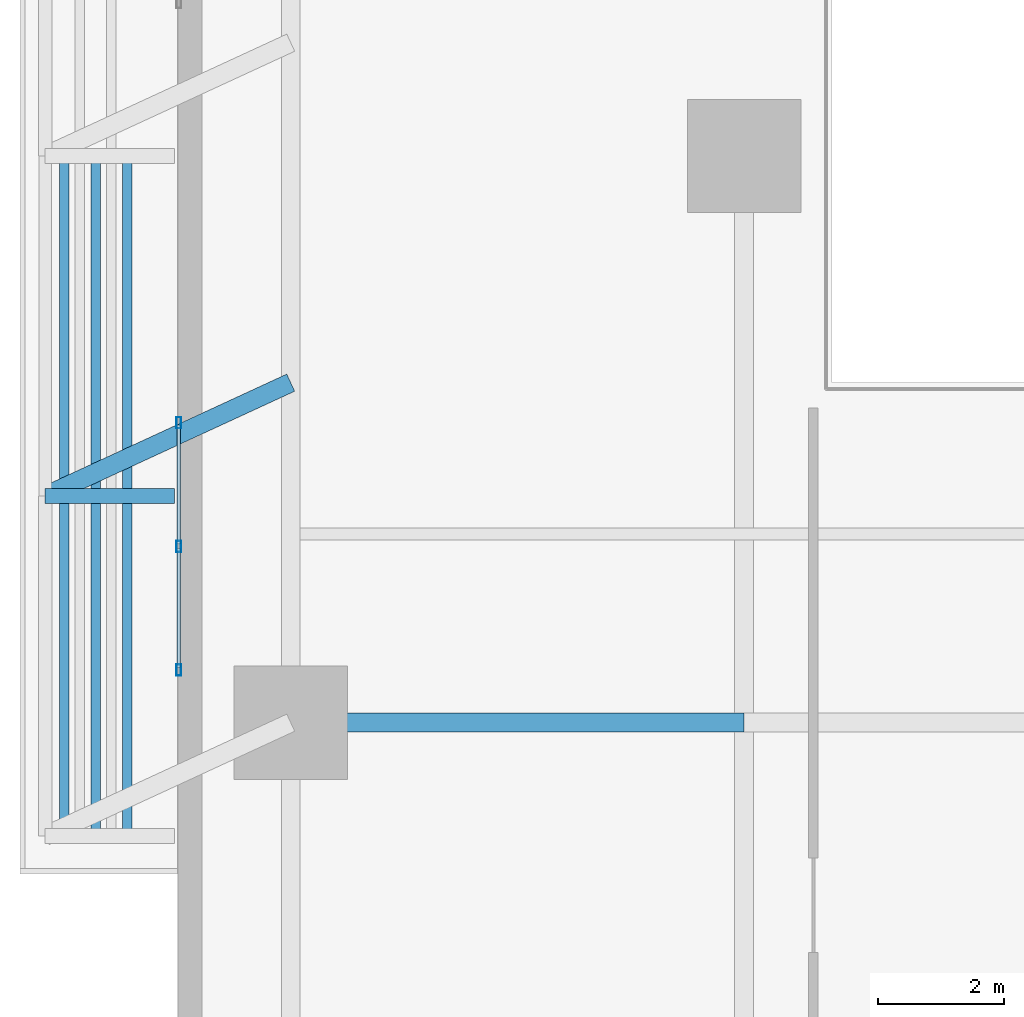
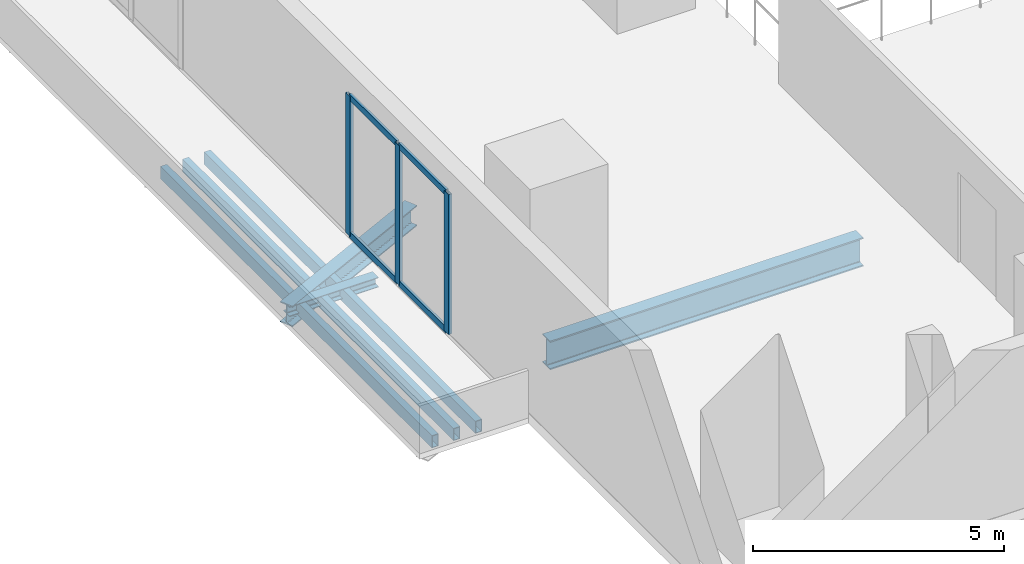
# One storey, part 2 of 13: 10 members, 3 beams, 1 element without a shape of its own.
"""IFC4 building model written with IfcOpenShell, lengths in metres."""

from ifc_helpers import new_model, si_unit, direction, frame, origin, origin_2d, place, context, subcontext, project, spatial, hollow_rectangle, i_section, extrude, material, material_profile, profile_set, type_object, element, aggregate, save


model = new_model("IFC4")

# Units and contexts
model_context = context("Model", 3, precision=1e-05, world=origin(), true_north=direction((0.0, 1.0)))
body_context = subcontext(model_context, "Body", "Model", "MODEL_VIEW")
ifc_project = project(units=[si_unit("LENGTHUNIT", "METRE"), si_unit("AREAUNIT", "SQUARE_METRE"), si_unit("VOLUMEUNIT", "CUBIC_METRE"), si_unit("PLANEANGLEUNIT", "RADIAN"), si_unit("MASSUNIT", "GRAM", prefix="KILO")], contexts=[model_context])

# Site, building, storey
site_placement = place(None, origin())
site = spatial("IfcSite", under=ifc_project, at=site_placement, CompositionType="ELEMENT")
building_placement = place(site_placement, origin())
building = spatial("IfcBuilding", under=site, at=building_placement, Name="Kuzgunbayir Cultural Tower", CompositionType="ELEMENT")
storey_placement = place(building_placement, frame((0.0, 0.0, 4.60009765625)))
storey = spatial("IfcBuildingStorey", under=building, at=storey_placement, Name="L01", CompositionType="ELEMENT", Elevation=4.60009765625)

# Beams
ifc_material_1 = material(Name="Steel S355J2", Category="steel")
ifc_material_profile_1 = material_profile(ifc_material_1, i_section(OverallWidth=0.239990234375, OverallDepth=0.239990234375, WebThickness=0.010009765625, FlangeThickness=0.01708984375, FilletRadius=0.02099609375, at=origin_2d()), Name="HEB 240")
ifc_profile_set_1 = profile_set([ifc_material_profile_1], Name="Steel S355J2")
beam_type_1 = type_object("IfcBeamType", Name="BM-CAN-HEB240", PredefinedType="BEAM", material=ifc_profile_set_1)
beam_1_placement = place(storey_placement, frame((1.5, 16.199951171875, -0.3701171875), z_axis=(1.0, 0.0, 0.0), x_axis=(0.0, 1.0, 0.0)))
element("IfcBeam", 1, at=beam_1_placement, inside=storey, type_object=beam_type_1, Name="L01 Entrance Canopy Cantilever 2", PredefinedType="BEAM", context=body_context, shape_type="SweptSolid", body=[
    extrude(i_section(OverallWidth=0.239990234375, OverallDepth=0.239990234375, WebThickness=0.010009765625, FlangeThickness=0.01708984375, FilletRadius=0.02099609375, at=origin_2d()), origin(), (0.0, 0.0, 1.0), 2.050048828125),
])
ifc_material_profile_2 = material_profile(ifc_material_1, i_section(OverallWidth=0.300048828125, OverallDepth=0.5, WebThickness=0.014404296875, FlangeThickness=0.028076171875, FilletRadius=0.027099609375, at=origin_2d()), Name="HEB 500")
ifc_profile_set_2 = profile_set([ifc_material_profile_2], Name="Steel S355J2")
beam_type_2 = type_object("IfcBeamType", Name="BM-EXT-HEB500", PredefinedType="BEAM", material=ifc_profile_set_2)
beam_2_placement = place(storey_placement, frame((1.5, 16.199951171875, -0.5), z_axis=(0.907951066374, 0.419076199598, 0.0), x_axis=(-0.419076199598, 0.907951066374, 0.0)))
element("IfcBeam", 2, at=beam_2_placement, inside=storey, type_object=beam_type_2, Name="L01 Colonnade Structural Tie Mid-South", PredefinedType="BEAM", context=body_context, shape_type="SweptSolid", body=[
    extrude(i_section(OverallWidth=0.300048828125, OverallDepth=0.5, WebThickness=0.014404296875, FlangeThickness=0.028076171875, FilletRadius=0.027099609375, at=origin_2d()), origin(), (0.0, 0.0, 1.0), 4.295166015625),
])
ifc_material_profile_3 = material_profile(ifc_material_1, i_section(OverallWidth=0.300048828125, OverallDepth=0.699951171875, WebThickness=0.01708984375, FlangeThickness=0.031982421875, FilletRadius=0.027099609375, at=origin_2d()), Name="HEB 700")
ifc_profile_set_3 = profile_set([ifc_material_profile_3], Name="Steel S355J2")
beam_type_3 = type_object("IfcBeamType", Name="BM-GIR-HEB700", PredefinedType="BEAM", material=ifc_profile_set_3)
beam_3_placement = place(storey_placement, frame((5.39990234375, 12.60009765625, -0.60009765625), z_axis=(1.0, 0.0, 0.0), x_axis=(0.0, 1.0, 0.0)))
element("IfcBeam", 3, at=beam_3_placement, inside=storey, type_object=beam_type_3, Name="L01 Podium Primary Girder 1", PredefinedType="BEAM", context=body_context, shape_type="SweptSolid", body=[
    extrude(i_section(OverallWidth=0.300048828125, OverallDepth=0.699951171875, WebThickness=0.01708984375, FlangeThickness=0.031982421875, FilletRadius=0.027099609375, at=origin_2d()), origin(), (0.0, 0.0, 1.0), 7.2001953125),
])

# Curtain wall, members
ifc_material_2 = material(Name="Anodised Aluminium Framing", Category="aluminium")
curtain_wall_type = type_object("IfcCurtainWallType", Name="CW01-POD-FOYER", PredefinedType="NOTDEFINED", material=ifc_material_2)
curtain_wall_placement = place(storey_placement, origin())
curtain_wall = element("IfcCurtainWall", 4, at=curtain_wall_placement, inside=storey, type_object=curtain_wall_type, Name="L01 Civic Foyer Curtain Wall South", PredefinedType="NOTDEFINED")
ifc_material_profile_4 = material_profile(ifc_material_2, hollow_rectangle(XDim=0.074951171875, YDim=0.179931640625, WallThickness=0.0048828125, at=origin_2d()), Name="RHS 180x75x5")
ifc_profile_set_4 = profile_set([ifc_material_profile_4], Name="Anodised Aluminium Framing")
member_type_1 = type_object("IfcMemberType", Name="MEM-CW-MULLION-180", PredefinedType="MULLION", material=ifc_profile_set_4)
member_1_placement = place(storey_placement, frame((3.6201171875, 13.4375, 0.0), z_axis=(0.0, 0.0, 1.0), x_axis=(-1.0, 0.0, 0.0)))
member_1 = element("IfcMember", 5, at=member_1_placement, type_object=member_type_1, Name="CW01 mullion 1", PredefinedType="MULLION", context=body_context, shape_type="SweptSolid", body=[
    extrude(hollow_rectangle(XDim=0.074951171875, YDim=0.179931640625, WallThickness=0.0048828125, at=origin_2d()), origin(), (0.0, 0.0, 1.0), 3.39990234375),
])
member_2_placement = place(storey_placement, frame((3.6201171875, 15.39990234375, 0.0), z_axis=(0.0, 0.0, 1.0), x_axis=(-1.0, 0.0, 0.0)))
member_2 = element("IfcMember", 6, at=member_2_placement, type_object=member_type_1, Name="CW01 mullion 2", PredefinedType="MULLION", context=body_context, shape_type="SweptSolid", body=[
    extrude(hollow_rectangle(XDim=0.074951171875, YDim=0.179931640625, WallThickness=0.0048828125, at=origin_2d()), origin(), (0.0, 0.0, 1.0), 3.39990234375),
])
member_3_placement = place(storey_placement, frame((3.6201171875, 17.362548828125, 0.0), z_axis=(0.0, 0.0, 1.0), x_axis=(-1.0, 0.0, 0.0)))
member_3 = element("IfcMember", 7, at=member_3_placement, type_object=member_type_1, Name="CW01 mullion 3", PredefinedType="MULLION", context=body_context, shape_type="SweptSolid", body=[
    extrude(hollow_rectangle(XDim=0.074951171875, YDim=0.179931640625, WallThickness=0.0048828125, at=origin_2d()), origin(), (0.0, 0.0, 1.0), 3.39990234375),
])
ifc_material_profile_5 = material_profile(ifc_material_2, hollow_rectangle(XDim=0.06005859375, YDim=0.14990234375, WallThickness=0.00390625, at=origin_2d()), Name="RHS 150x60x4")
ifc_profile_set_5 = profile_set([ifc_material_profile_5], Name="Anodised Aluminium Framing")
member_type_2 = type_object("IfcMemberType", Name="MEM-CW-TRANSOM-150", PredefinedType="USERDEFINED", material=ifc_profile_set_5)
member_4_placement = place(storey_placement, frame((3.6201171875, 13.47509765625, 0.02978515625), z_axis=(0.0, 1.0, 0.0), x_axis=(-1.0, 0.0, 0.0)))
member_4 = element("IfcMember", 8, at=member_4_placement, type_object=member_type_2, Name="CW01 transom 1.1", ObjectType="TRANSOM", PredefinedType="USERDEFINED", context=body_context, shape_type="SweptSolid", body=[
    extrude(hollow_rectangle(XDim=0.06005859375, YDim=0.14990234375, WallThickness=0.00390625, at=origin_2d()), origin(), (0.0, 0.0, 1.0), 1.887451171875),
])
member_5_placement = place(storey_placement, frame((3.6201171875, 13.47509765625, 3.369873046875), z_axis=(0.0, 1.0, 0.0), x_axis=(-1.0, 0.0, 0.0)))
member_5 = element("IfcMember", 9, at=member_5_placement, type_object=member_type_2, Name="CW01 transom 1.2", ObjectType="TRANSOM", PredefinedType="USERDEFINED", context=body_context, shape_type="SweptSolid", body=[
    extrude(hollow_rectangle(XDim=0.06005859375, YDim=0.14990234375, WallThickness=0.00390625, at=origin_2d()), origin(), (0.0, 0.0, 1.0), 1.887451171875),
])
member_6_placement = place(storey_placement, frame((3.6201171875, 15.4375, 0.02978515625), z_axis=(0.0, 1.0, 0.0), x_axis=(-1.0, 0.0, 0.0)))
member_6 = element("IfcMember", 10, at=member_6_placement, type_object=member_type_2, Name="CW01 transom 2.1", ObjectType="TRANSOM", PredefinedType="USERDEFINED", context=body_context, shape_type="SweptSolid", body=[
    extrude(hollow_rectangle(XDim=0.06005859375, YDim=0.14990234375, WallThickness=0.00390625, at=origin_2d()), origin(), (0.0, 0.0, 1.0), 1.887451171875),
])
member_7_placement = place(storey_placement, frame((3.6201171875, 15.4375, 3.369873046875), z_axis=(0.0, 1.0, 0.0), x_axis=(-1.0, 0.0, 0.0)))
member_7 = element("IfcMember", 11, at=member_7_placement, type_object=member_type_2, Name="CW01 transom 2.2", ObjectType="TRANSOM", PredefinedType="USERDEFINED", context=body_context, shape_type="SweptSolid", body=[
    extrude(hollow_rectangle(XDim=0.06005859375, YDim=0.14990234375, WallThickness=0.00390625, at=origin_2d()), origin(), (0.0, 0.0, 1.0), 1.887451171875),
])
aggregate(curtain_wall, [member_1, member_2, member_3, member_4, member_5, member_6, member_7])

# Members
ifc_material_profile_6 = material_profile(ifc_material_1, hollow_rectangle(XDim=0.14990234375, YDim=0.300048828125, WallThickness=0.012451171875, at=origin_2d()), Name="RHS 300x150x12.5")
ifc_profile_set_6 = profile_set([ifc_material_profile_6], Name="Steel S355J2")
member_type_3 = type_object("IfcMemberType", Name="MEM-PRL-RHS300", PredefinedType="PURLIN", material=ifc_profile_set_6)
for number, where, z_axis, x_axis, name in (
    (12, (1.800048828125, 10.800048828125, -0.41015625), (0.0, 1.0, 0.0), (-1.0, 0.0, 0.0), "L01 Entrance Canopy Purlin 1"),
    (13, (2.300048828125, 10.800048828125, -0.41015625), (0.0, 1.0, 0.0), (-1.0, 0.0, 0.0), "L01 Entrance Canopy Purlin 2"),
    (14, (2.800048828125, 10.800048828125, -0.41015625), (0.0, 1.0, 0.0), (-1.0, 0.0, 0.0), "L01 Entrance Canopy Purlin 3"),
):
    element("IfcMember", number, at=place(storey_placement, frame(where, z_axis=z_axis, x_axis=x_axis)), inside=storey, type_object=member_type_3, Name=name, PredefinedType="PURLIN", context=body_context, shape_type="SweptSolid", body=[
        extrude(hollow_rectangle(XDim=0.14990234375, YDim=0.300048828125, WallThickness=0.012451171875, at=origin_2d()), origin(), (0.0, 0.0, 1.0), 10.800048828125),
    ])

save(model, "model.ifc")
